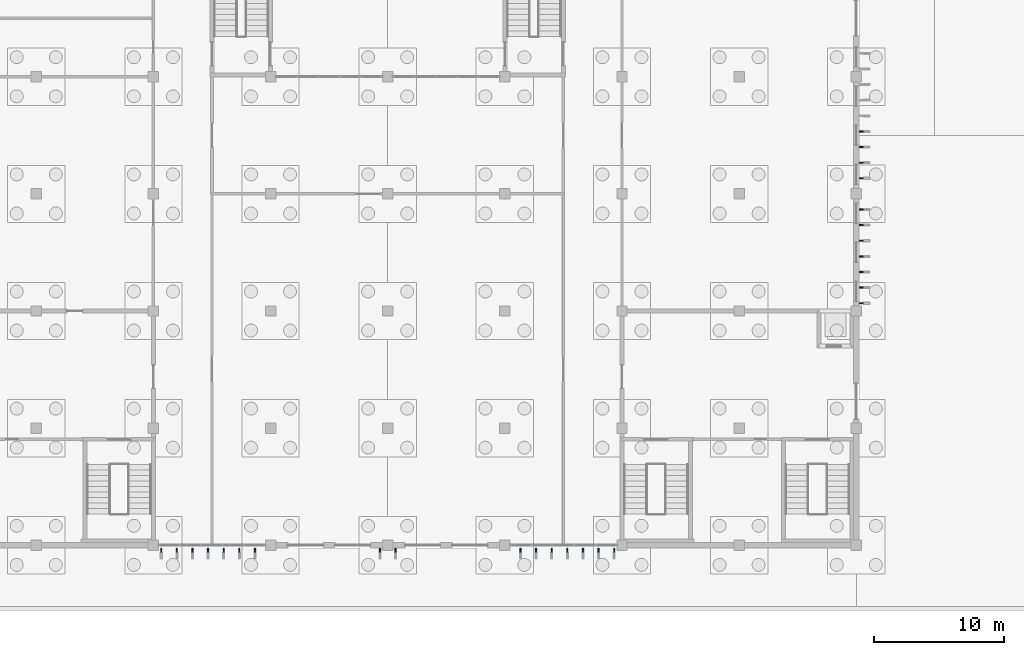
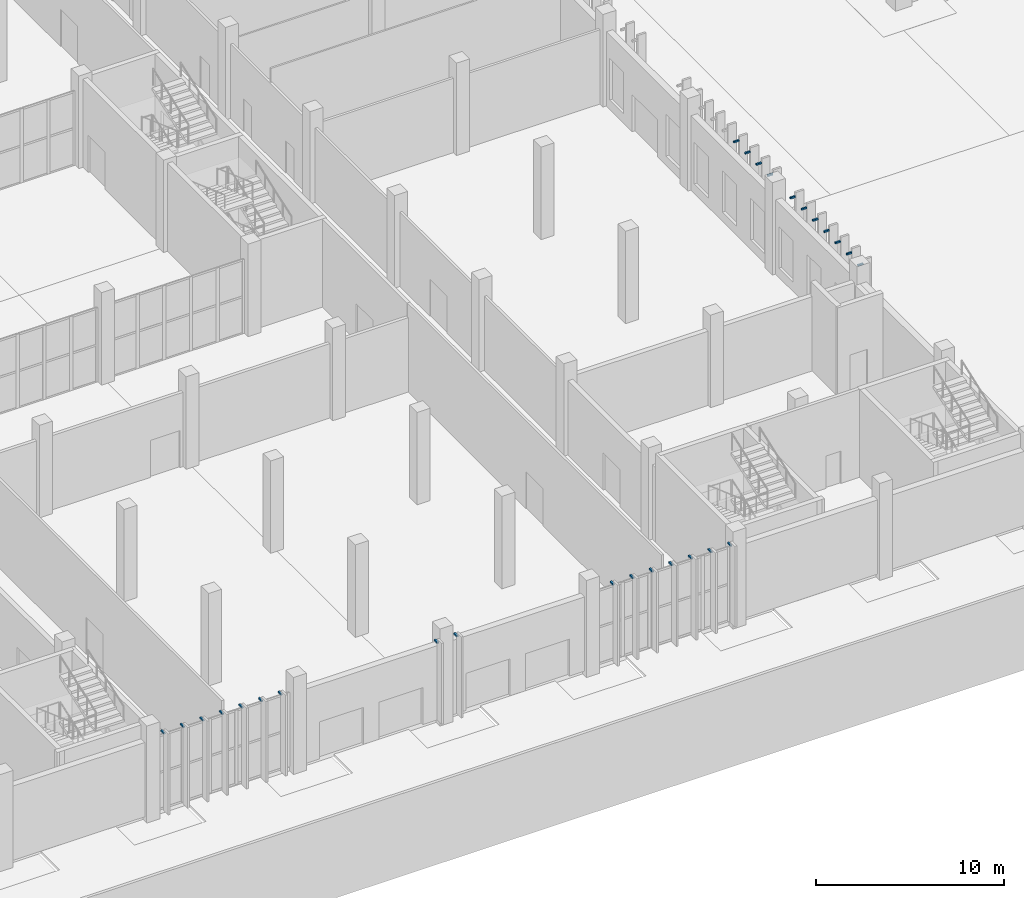
# One storey, part 115 of 198: 27 discrete accessories.
"""IFC4 building model written with IfcOpenShell, lengths in metres."""

from ifc_helpers import new_model, si_unit, direction, frame, origin, origin_2d, place, context, subcontext, project, spatial, rectangle, extrude, material, type_object, element, save


model = new_model("IFC4")

# Units and contexts
model_context = context("Model", 3, precision=1e-05, world=origin(), true_north=direction((0.0, 1.0)))
body_context = subcontext(model_context, "Body", "Model", "MODEL_VIEW")
ifc_project = project(units=[si_unit("LENGTHUNIT", "METRE"), si_unit("AREAUNIT", "SQUARE_METRE"), si_unit("VOLUMEUNIT", "CUBIC_METRE"), si_unit("PLANEANGLEUNIT", "RADIAN"), si_unit("MASSUNIT", "GRAM", prefix="KILO")], contexts=[model_context])

# Site, building, storey
site_placement = place(None, origin())
site = spatial("IfcSite", under=ifc_project, at=site_placement, CompositionType="ELEMENT")
building_placement = place(site_placement, origin())
building = spatial("IfcBuilding", under=site, at=building_placement, Name="Opaline Strait Convention Centre", CompositionType="ELEMENT")
storey_placement = place(building_placement, origin())
storey = spatial("IfcBuildingStorey", under=building, at=storey_placement, Name="L00", CompositionType="ELEMENT", Elevation=0.0)

# Discrete accessories
ifc_material = material(Name="Stainless steel 316", Category="steel")
discrete_accessory_type = type_object("IfcDiscreteAccessoryType", Name="Fin bracket stainless steel 316", PredefinedType="BRACKET", material=ifc_material)
for number, where, z_axis, x_axis, name in (
    (1, (27.60009765625, 8.612548828125, 5.219970703125), (0.0, 0.0, 1.0), (1.0, 0.0, 0.0), "Fin bracket S L00"),
    (2, (28.800048828125, 8.612548828125, 5.219970703125), (0.0, 0.0, 1.0), (1.0, 0.0, 0.0), "Fin bracket S L00"),
    (3, (30.0, 8.612548828125, 5.219970703125), (0.0, 0.0, 1.0), (1.0, 0.0, 0.0), "Fin bracket S L00"),
    (4, (31.199951171875, 8.612548828125, 5.219970703125), (0.0, 0.0, 1.0), (1.0, 0.0, 0.0), "Fin bracket S L00"),
    (5, (32.39990234375, 8.612548828125, 5.219970703125), (0.0, 0.0, 1.0), (1.0, 0.0, 0.0), "Fin bracket S L00"),
    (6, (33.60009765625, 8.612548828125, 5.219970703125), (0.0, 0.0, 1.0), (1.0, 0.0, 0.0), "Fin bracket S L00"),
    (7, (34.800048828125, 8.612548828125, 5.219970703125), (0.0, 0.0, 1.0), (1.0, 0.0, 0.0), "Fin bracket S L00"),
    (8, (44.39990234375, 8.612548828125, 5.219970703125), (0.0, 0.0, 1.0), (1.0, 0.0, 0.0), "Fin bracket S L00"),
    (9, (45.60009765625, 8.612548828125, 5.219970703125), (0.0, 0.0, 1.0), (1.0, 0.0, 0.0), "Fin bracket S L00"),
    (10, (55.199951171875, 8.612548828125, 5.219970703125), (0.0, 0.0, 1.0), (1.0, 0.0, 0.0), "Fin bracket S L00"),
    (11, (56.39990234375, 8.612548828125, 5.219970703125), (0.0, 0.0, 1.0), (1.0, 0.0, 0.0), "Fin bracket S L00"),
    (12, (57.60009765625, 8.612548828125, 5.219970703125), (0.0, 0.0, 1.0), (1.0, 0.0, 0.0), "Fin bracket S L00"),
    (13, (58.800048828125, 8.612548828125, 5.219970703125), (0.0, 0.0, 1.0), (1.0, 0.0, 0.0), "Fin bracket S L00"),
    (14, (60.0, 8.612548828125, 5.219970703125), (0.0, 0.0, 1.0), (1.0, 0.0, 0.0), "Fin bracket S L00"),
    (15, (61.199951171875, 8.612548828125, 5.219970703125), (0.0, 0.0, 1.0), (1.0, 0.0, 0.0), "Fin bracket S L00"),
    (16, (62.39990234375, 8.612548828125, 5.219970703125), (0.0, 0.0, 1.0), (1.0, 0.0, 0.0), "Fin bracket S L00"),
):
    element("IfcDiscreteAccessory", number, at=place(storey_placement, frame(where, z_axis=z_axis, x_axis=x_axis)), inside=storey, type_object=discrete_accessory_type, Name=name, PredefinedType="BRACKET", context=body_context, shape_type="SweptSolid", body=[
        extrude(rectangle(XDim=0.10009765625, YDim=0.324951171875, at=origin_2d()), origin(), (0.0, 0.0, 1.0), 0.10009765625),
    ])
for number, where, z_axis, x_axis, name in (
    (17, (81.387451171875, 27.60009765625, 5.219970703125), (0.0, 0.0, 1.0), (1.0, 0.0, 0.0), "Fin bracket E L00"),
    (18, (81.387451171875, 28.800048828125, 5.219970703125), (0.0, 0.0, 1.0), (1.0, 0.0, 0.0), "Fin bracket E L00"),
    (19, (81.387451171875, 30.0, 5.219970703125), (0.0, 0.0, 1.0), (1.0, 0.0, 0.0), "Fin bracket E L00"),
    (20, (81.387451171875, 31.199951171875, 5.219970703125), (0.0, 0.0, 1.0), (1.0, 0.0, 0.0), "Fin bracket E L00"),
    (21, (81.387451171875, 32.39990234375, 5.219970703125), (0.0, 0.0, 1.0), (1.0, 0.0, 0.0), "Fin bracket E L00"),
    (22, (81.387451171875, 33.60009765625, 5.219970703125), (0.0, 0.0, 1.0), (1.0, 0.0, 0.0), "Fin bracket E L00"),
    (23, (81.387451171875, 34.800048828125, 5.219970703125), (0.0, 0.0, 1.0), (1.0, 0.0, 0.0), "Fin bracket E L00"),
    (24, (81.387451171875, 37.199951171875, 5.219970703125), (0.0, 0.0, 1.0), (1.0, 0.0, 0.0), "Fin bracket E L00"),
    (25, (81.387451171875, 38.39990234375, 5.219970703125), (0.0, 0.0, 1.0), (1.0, 0.0, 0.0), "Fin bracket E L00"),
    (26, (81.387451171875, 39.60009765625, 5.219970703125), (0.0, 0.0, 1.0), (1.0, 0.0, 0.0), "Fin bracket E L00"),
    (27, (81.387451171875, 40.800048828125, 5.219970703125), (0.0, 0.0, 1.0), (1.0, 0.0, 0.0), "Fin bracket E L00"),
):
    element("IfcDiscreteAccessory", number, at=place(storey_placement, frame(where, z_axis=z_axis, x_axis=x_axis)), inside=storey, type_object=discrete_accessory_type, Name=name, PredefinedType="BRACKET", context=body_context, shape_type="SweptSolid", body=[
        extrude(rectangle(XDim=0.324951171875, YDim=0.10009765625, at=origin_2d()), origin(), (0.0, 0.0, 1.0), 0.10009765625),
    ])

save(model, "model.ifc")
